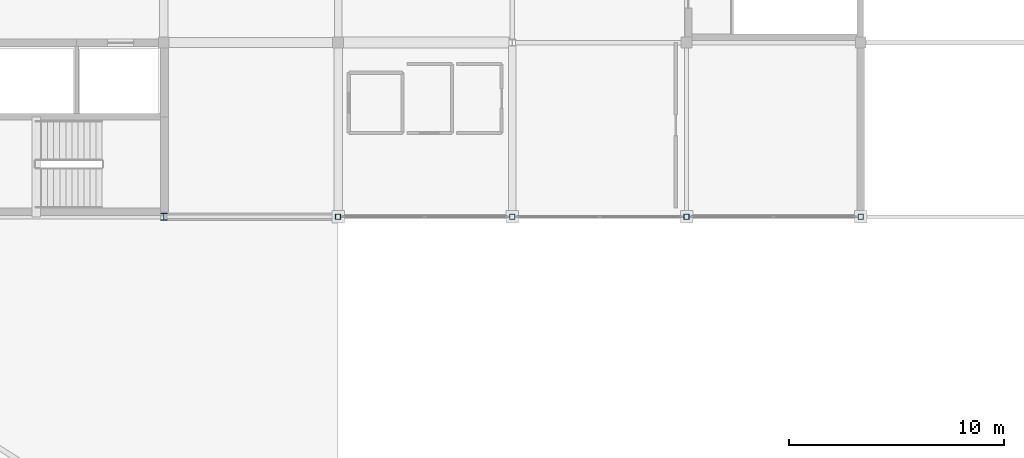
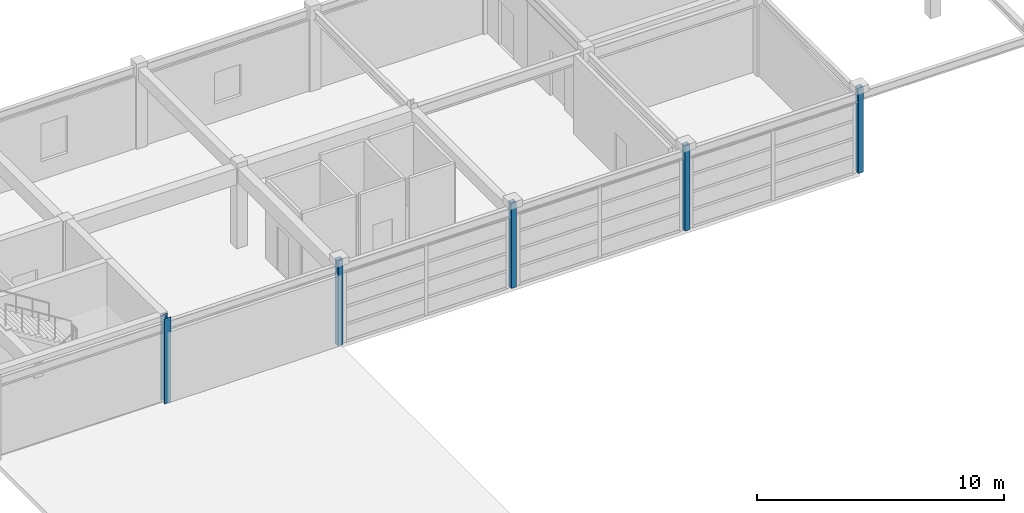
# One storey, part 4 of 26: 5 columns.
"""IFC4 building model written with IfcOpenShell, lengths in metres."""

from ifc_helpers import new_model, si_unit, direction, frame, origin, origin_2d, place, context, subcontext, project, spatial, hollow_rectangle, i_section, extrude, material, material_profile, profile_set, type_object, element, save


model = new_model("IFC4")

# Units and contexts
model_context = context("Model", 3, precision=1e-05, world=origin(), true_north=direction((0.0, 1.0)))
body_context = subcontext(model_context, "Body", "Model", "MODEL_VIEW")
ifc_project = project(units=[si_unit("LENGTHUNIT", "METRE"), si_unit("AREAUNIT", "SQUARE_METRE"), si_unit("VOLUMEUNIT", "CUBIC_METRE"), si_unit("PLANEANGLEUNIT", "RADIAN"), si_unit("MASSUNIT", "GRAM", prefix="KILO")], contexts=[model_context])

# Site, building, storey
site_placement = place(None, origin())
site = spatial("IfcSite", under=ifc_project, at=site_placement, CompositionType="ELEMENT")
building_placement = place(site_placement, origin())
building = spatial("IfcBuilding", under=site, at=building_placement, Name="Parian Resonance Hall", CompositionType="ELEMENT")
storey_placement = place(building_placement, frame((0.0, 0.0, 19.199951171875)))
storey = spatial("IfcBuildingStorey", under=building, at=storey_placement, Name="L04", CompositionType="ELEMENT", Elevation=19.199951171875)

# Columns
ifc_material_1 = material(Name="Hollow structural steel S355", Category="steel")
ifc_material_profile_1 = material_profile(ifc_material_1, hollow_rectangle(XDim=0.25, YDim=0.25, WallThickness=0.012451171875, InnerFilletRadius=0.012451171875, OuterFilletRadius=0.02490234375, at=origin_2d()), Name="SHS250x250x12.5")
ifc_profile_set_1 = profile_set([ifc_material_profile_1], Name="Hollow structural steel S355")
column_type_1 = type_object("IfcColumnType", Name="COL-SHS250", PredefinedType="COLUMN", material=ifc_profile_set_1)
for number, where, z_axis, x_axis, name in (
    (1, (72.89990234375, 72.89990234375, 0.0), (0.0, 0.0, 1.0), (1.0, 0.0, 0.0), "Column G10-10 L04"),
    (2, (81.0, 72.89990234375, 0.0), (0.0, 0.0, 1.0), (1.0, 0.0, 0.0), "Column G11-10 L04"),
    (3, (89.10009765625, 72.89990234375, 0.0), (0.0, 0.0, 1.0), (1.0, 0.0, 0.0), "Column G12-10 L04"),
    (4, (97.199951171875, 72.89990234375, 0.0), (0.0, 0.0, 1.0), (1.0, 0.0, 0.0), "Column G13-10 L04"),
):
    element("IfcColumn", number, at=place(storey_placement, frame(where, z_axis=z_axis, x_axis=x_axis)), inside=storey, type_object=column_type_1, Name=name, PredefinedType="COLUMN", context=body_context, shape_type="SweptSolid", body=[
        extrude(hollow_rectangle(XDim=0.25, YDim=0.25, WallThickness=0.012451171875, InnerFilletRadius=0.012451171875, OuterFilletRadius=0.02490234375, at=origin_2d()), origin(), (0.0, 0.0, 1.0), 4.199951171875),
    ])
ifc_material_2 = material(Name="Steel S355", Category="steel")
ifc_material_profile_2 = material_profile(ifc_material_2, i_section(OverallWidth=0.304931640625, OverallDepth=0.30810546875, WebThickness=0.010009765625, FlangeThickness=0.015380859375, FilletRadius=0.01513671875, at=origin_2d()), Name="W310x97")
ifc_profile_set_2 = profile_set([ifc_material_profile_2], Name="Steel S355")
column_type_2 = type_object("IfcColumnType", Name="COL-W310", PredefinedType="COLUMN", material=ifc_profile_set_2)
column_placement = place(storey_placement, frame((64.800048828125, 72.89990234375, 0.0), z_axis=(0.0, 0.0, 1.0), x_axis=(1.0, 0.0, 0.0)))
element("IfcColumn", 5, at=column_placement, inside=storey, type_object=column_type_2, Name="Column G09-10 L04", PredefinedType="COLUMN", context=body_context, shape_type="SweptSolid", body=[
    extrude(i_section(OverallWidth=0.304931640625, OverallDepth=0.30810546875, WebThickness=0.010009765625, FlangeThickness=0.015380859375, FilletRadius=0.01513671875, at=origin_2d()), origin(), (0.0, 0.0, 1.0), 4.199951171875),
])

save(model, "model.ifc")
